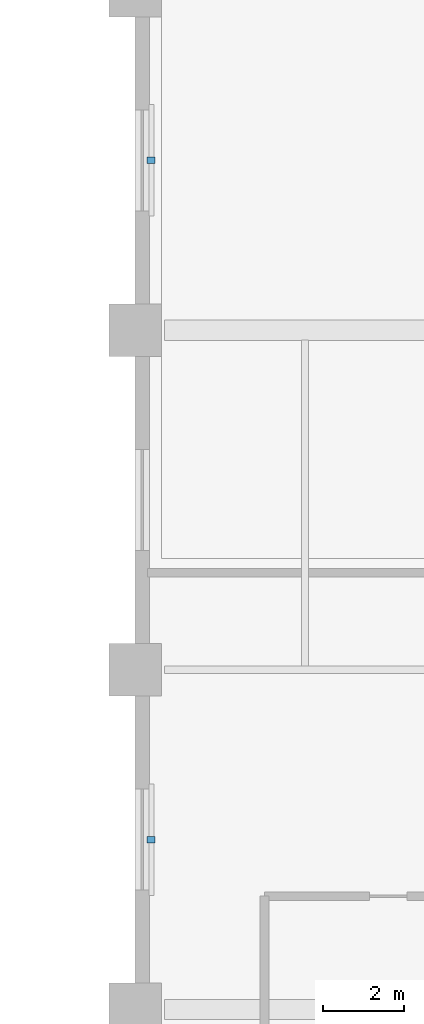
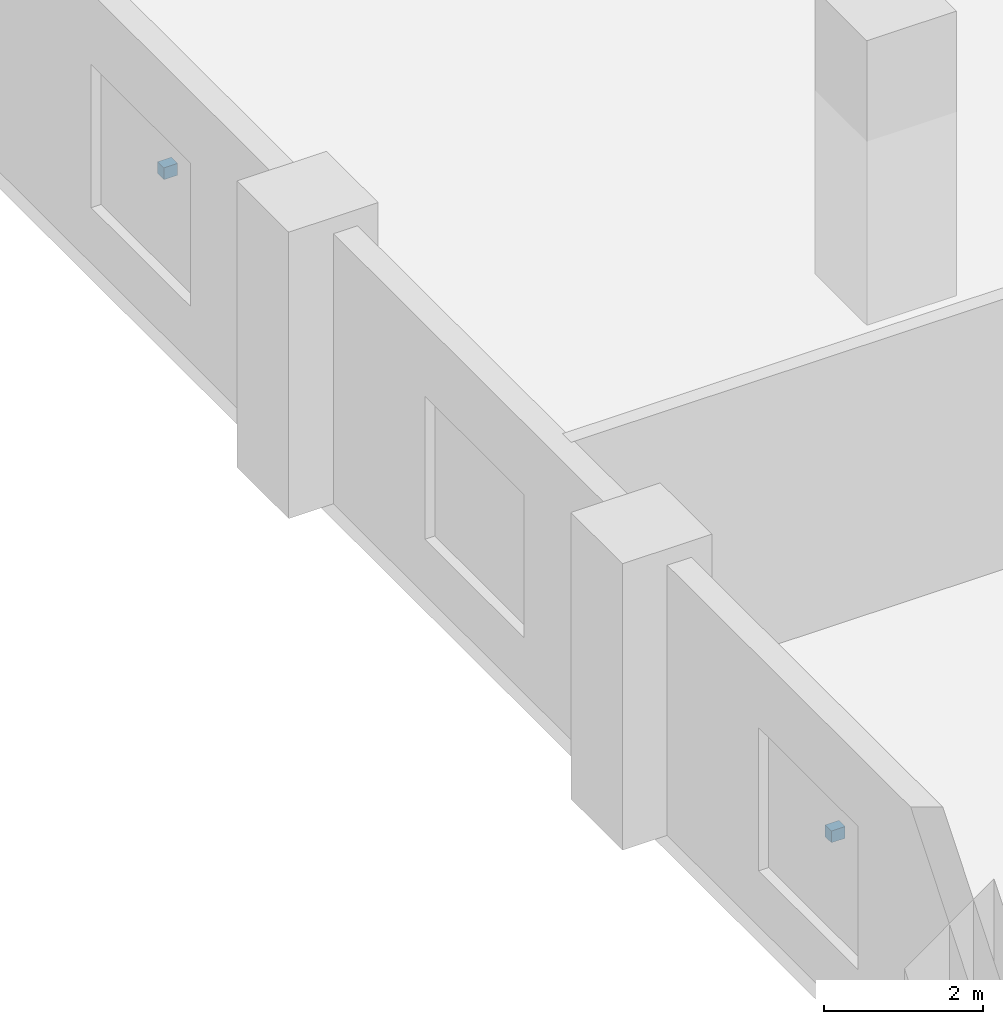
# One storey, part 15 of 21: 2 discrete accessories.
"""IFC4 building model written with IfcOpenShell, lengths in metres."""

import ifcopenshell
import ifcopenshell.guid

model = None  # the IFC model being written
_history = None  # IfcOwnerHistory: only IFC2X3 demands one
_inside = {}  # id of a spatial element -> (the spatial element, [elements in it])
_under = {}  # id of a project, library or spatial element -> (it, [spatial elements below it])
_declared = {}  # id of a project -> (the project, [libraries it declares])
_typed = {}  # id of a type object -> (the type object, [elements of that type])
_made_of = {}  # id of a material, layer set ... -> (it, [elements and type objects made of it])


def new_model(schema):
    """Start an empty IFC model of exactly this schema.

    Asked for "IFC4X3", IfcOpenShell would pick the latest addendum, in which some entities
    have other attributes; the version numbers below select the first issue.
    IFC2X3 requires an IfcOwnerHistory on every rooted entity: one is made here for all.
    """
    global model, _history
    if schema == "IFC4X3":
        model = ifcopenshell.file(schema_version=(4, 3, 0, 0))
    else:
        model = ifcopenshell.file(schema=schema)
    _inside.clear()
    _under.clear()
    _declared.clear()
    _typed.clear()
    _made_of.clear()
    _history = None
    if model.schema == "IFC2X3":
        org = make("IfcOrganization", Name="unknown")
        user = make(
            "IfcPersonAndOrganization",
            ThePerson=make("IfcPerson", FamilyName="unknown"),
            TheOrganization=org,
        )
        app = make(
            "IfcApplication",
            ApplicationDeveloper=org,
            Version="unknown",
            ApplicationFullName="unknown",
            ApplicationIdentifier="unknown",
        )
        _history = make(
            "IfcOwnerHistory",
            OwningUser=user,
            OwningApplication=app,
            ChangeAction="ADDED",
            CreationDate=0,
        )
    return model


def make(cls, **values):
    """One entity of the class cls with the attributes given. An attribute that is None is left unset."""
    return model.create_entity(
        cls, **{name: value for name, value in values.items() if value is not None}
    )


def rooted(cls, **values):
    """An entity with a GlobalId (a new one), such as an element, a storey or a relation."""
    return make(cls, GlobalId=ifcopenshell.guid.new(), OwnerHistory=_history, **values)


def si_unit(unit_type, name, prefix=None):
    """IfcSIUnit, for example si_unit("LENGTHUNIT", "METRE", prefix="MILLI")."""
    return make("IfcSIUnit", UnitType=unit_type, Prefix=prefix, Name=name)


def assignment(units):
    """IfcUnitAssignment: the units of a project."""
    return None if units is None else make("IfcUnitAssignment", Units=units)


def point(xyz):
    """IfcCartesianPoint."""
    return None if xyz is None else make("IfcCartesianPoint", Coordinates=xyz)


def direction(xyz):
    """IfcDirection."""
    return None if xyz is None else make("IfcDirection", DirectionRatios=xyz)


def frame(location, z_axis=None, x_axis=None):
    """IfcAxis2Placement3D, a coordinate frame: its origin and axes. An axis left out is left unset."""
    return make(
        "IfcAxis2Placement3D",
        Location=point(location),
        Axis=direction(z_axis),
        RefDirection=direction(x_axis),
    )


def frame_2d(location, x_axis=None):
    """IfcAxis2Placement2D, a coordinate frame in the plane: its origin and x axis."""
    return make(
        "IfcAxis2Placement2D", Location=point(location), RefDirection=direction(x_axis)
    )


def origin():
    """The frame at (0, 0, 0) with its axes left unset."""
    return frame((0.0, 0.0, 0.0))


def origin_2d():
    """The frame at (0, 0) in the plane with its x axis left unset."""
    return frame_2d((0.0, 0.0))


def place(relative_to, where):
    """IfcLocalPlacement: puts the frame where relative to a parent placement (None: the world)."""
    return make(
        "IfcLocalPlacement", PlacementRelTo=relative_to, RelativePlacement=where
    )


def context(
    kind, dimensions, precision=None, world=None, true_north=None, identifier=None
):
    """IfcGeometricRepresentationContext, for example the 3D "Model" context."""
    return make(
        "IfcGeometricRepresentationContext",
        ContextIdentifier=identifier,
        ContextType=kind,
        CoordinateSpaceDimension=dimensions,
        Precision=precision,
        WorldCoordinateSystem=world,
        TrueNorth=true_north,
    )


def subcontext(parent, identifier, kind, view, scale=None):
    """IfcGeometricRepresentationSubContext, for example "Body" below "Model"."""
    return make(
        "IfcGeometricRepresentationSubContext",
        ContextIdentifier=identifier,
        ContextType=kind,
        ParentContext=parent,
        TargetScale=scale,
        TargetView=view,
    )


def project(units=None, contexts=None):
    """IfcProject with its units and contexts."""
    return rooted(
        "IfcProject",
        Name="project",
        RepresentationContexts=contexts,
        UnitsInContext=assignment(units),
    )


def spatial(cls, under=None, at=None, **own):
    """A site, building, storey or space (cls), placed at a placement, below another one or the project."""
    s = rooted(cls, ObjectPlacement=at, **own)
    if under is not None:
        _under.setdefault(under.id(), (under, []))[1].append(s)
    return s


def profile(cls, at=None, kind="AREA", **sizes):
    """A parametric profile (cls). Its sizes go by their IFC names, for example OverallWidth=200.0."""
    return make(cls, ProfileType=kind, Position=at, **sizes)


def rectangle(**sizes):
    """IfcRectangleProfileDef."""
    return profile("IfcRectangleProfileDef", **sizes)


def extrude(swept, where, along, depth):
    """IfcExtrudedAreaSolid: the profile swept, set in the frame where, extruded along a direction by depth."""
    return make(
        "IfcExtrudedAreaSolid",
        SweptArea=swept,
        Position=where,
        ExtrudedDirection=direction(along),
        Depth=depth,
    )


def shape(context_of_items, identifier, shape_type, items):
    """IfcShapeRepresentation: the items that make up one representation, for example the "Body"."""
    return make(
        "IfcShapeRepresentation",
        ContextOfItems=context_of_items,
        RepresentationIdentifier=identifier,
        RepresentationType=shape_type,
        Items=items,
    )


def material(Name=None, Category=None):
    """IfcMaterial."""
    return make("IfcMaterial", Name=Name, Category=Category)


def made_of(thing, what):
    """Note that an element or type object is made of a material, layer set ...; save() writes the relation."""
    if what is not None:
        _made_of.setdefault(what.id(), (what, []))[1].append(thing)
    return thing


def type_object(cls, material=None, **own):
    """A type object (cls), such as IfcWallType, which elements share."""
    return made_of(rooted(cls, **own), material)


def element(
    cls,
    number,
    at=None,
    inside=None,
    cuts=None,
    type_object=None,
    material=None,
    context=None,
    identifier="Body",
    shape_type=None,
    held_by="IfcProductDefinitionShape",
    body=None,
    shapes=None,
    **own,
):
    """One element of the class cls, such as IfcWall. Its Tag is "e" and its number.

    at: its placement. inside: the storey or other place that contains it. cuts: it is an
    opening in that element (IfcRelVoidsElement). A single representation is given by context,
    identifier, shape_type and body (its items); several are given by shapes. held_by: the class
    of the entity that holds the representations. save() writes the other relations.
    """
    e = rooted(cls, Tag="e%d" % number, ObjectPlacement=at, **own)
    if body is not None:
        shapes = [shape(context, identifier, shape_type, body)]
    if shapes is not None:
        e.Representation = make(held_by, Representations=shapes)
    if inside is not None:
        _inside.setdefault(inside.id(), (inside, []))[1].append(e)
    if cuts is not None:
        rooted(
            "IfcRelVoidsElement", RelatingBuildingElement=cuts, RelatedOpeningElement=e
        )
    if type_object is not None:
        _typed.setdefault(type_object.id(), (type_object, []))[1].append(e)
    return made_of(e, material)


def aggregate(whole, parts):
    """IfcRelAggregates: a whole, such as a stair, and the parts it consists of."""
    return rooted("IfcRelAggregates", RelatingObject=whole, RelatedObjects=parts)


def save(model, path):
    """Write the relations noted so far, then the file.

    IfcRelAggregates (storeys below a building ...), IfcRelContainedInSpatialStructure (elements
    in a storey), IfcRelDefinesByType, IfcRelAssociatesMaterial and IfcRelDeclares: one each for
    every whole, place, type object, material and project.
    """
    for whole, parts in _under.values():
        aggregate(whole, parts)
    for where, things in _inside.values():
        rooted(
            "IfcRelContainedInSpatialStructure",
            RelatedElements=things,
            RelatingStructure=where,
        )
    for kind, things in _typed.values():
        rooted("IfcRelDefinesByType", RelatedObjects=things, RelatingType=kind)
    for what, things in _made_of.values():
        rooted("IfcRelAssociatesMaterial", RelatedObjects=things, RelatingMaterial=what)
    for by, libraries in _declared.values():
        rooted("IfcRelDeclares", RelatingContext=by, RelatedDefinitions=libraries)
    model.write(path)


model = new_model("IFC4")

# Units and contexts
model_context = context("Model", 3, precision=1e-05, world=origin(), true_north=direction((0.0, 1.0)))
body_context = subcontext(model_context, "Body", "Model", "MODEL_VIEW")
ifc_project = project(units=[si_unit("LENGTHUNIT", "METRE"), si_unit("AREAUNIT", "SQUARE_METRE"), si_unit("VOLUMEUNIT", "CUBIC_METRE"), si_unit("PLANEANGLEUNIT", "RADIAN"), si_unit("MASSUNIT", "GRAM", prefix="KILO")], contexts=[model_context])

# Site, building, storey
site_placement = place(None, origin())
site = spatial("IfcSite", under=ifc_project, at=site_placement, CompositionType="ELEMENT")
building_placement = place(site_placement, origin())
building = spatial("IfcBuilding", under=site, at=building_placement, Name="Koriwani Terraces Tower", CompositionType="ELEMENT")
storey_placement = place(building_placement, frame((0.0, 0.0, 85.199951171875)))
storey = spatial("IfcBuildingStorey", under=building, at=storey_placement, Name="L20", CompositionType="ELEMENT", Elevation=85.199951171875)

# Discrete accessories
ifc_material = material(Name="Steel ASTM A572 Grade 50", Category="steel")
discrete_accessory_type = type_object("IfcDiscreteAccessoryType", Name="BAGUETTE_STANDOFF_BRACKET", PredefinedType="BRACKET", material=ifc_material)
for number, where, z_axis, x_axis, name in (
    (1, (0.389892578125, 12.60009765625, 1.98486328125), (0.0, 0.0, 1.0), (0.0, 1.0, 0.0), "L20 Terracotta Baguette Bracket (W-3)"),
    (2, (0.389892578125, 29.39990234375, 1.98486328125), (0.0, 0.0, 1.0), (0.0, 1.0, 0.0), "L20 Terracotta Baguette Bracket (W-9)"),
):
    element("IfcDiscreteAccessory", number, at=place(storey_placement, frame(where, z_axis=z_axis, x_axis=x_axis)), inside=storey, type_object=discrete_accessory_type, Name=name, PredefinedType="BRACKET", context=body_context, shape_type="SweptSolid", body=[
        extrude(rectangle(XDim=0.159912109375, YDim=0.199951171875, at=origin_2d()), origin(), (0.0, 0.0, 1.0), 0.179931640625),
    ])

save(model, "model.ifc")
